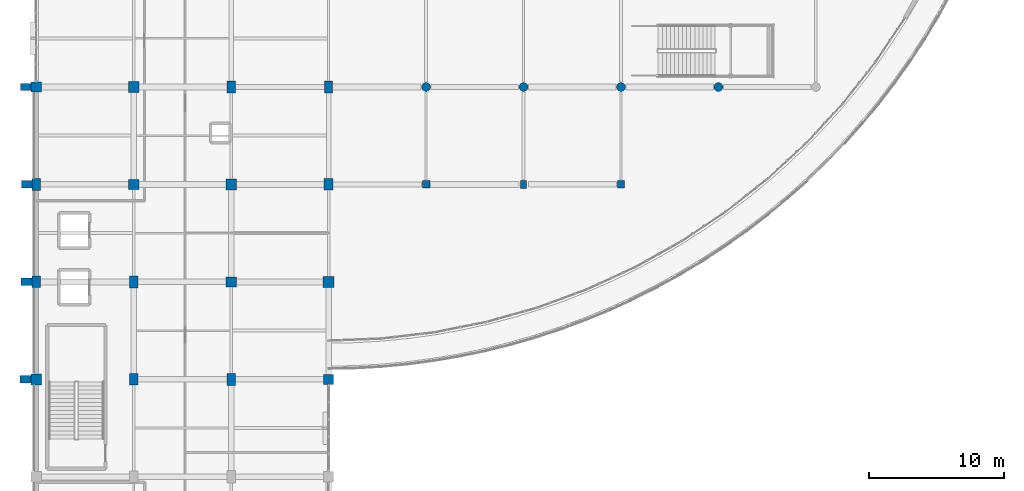
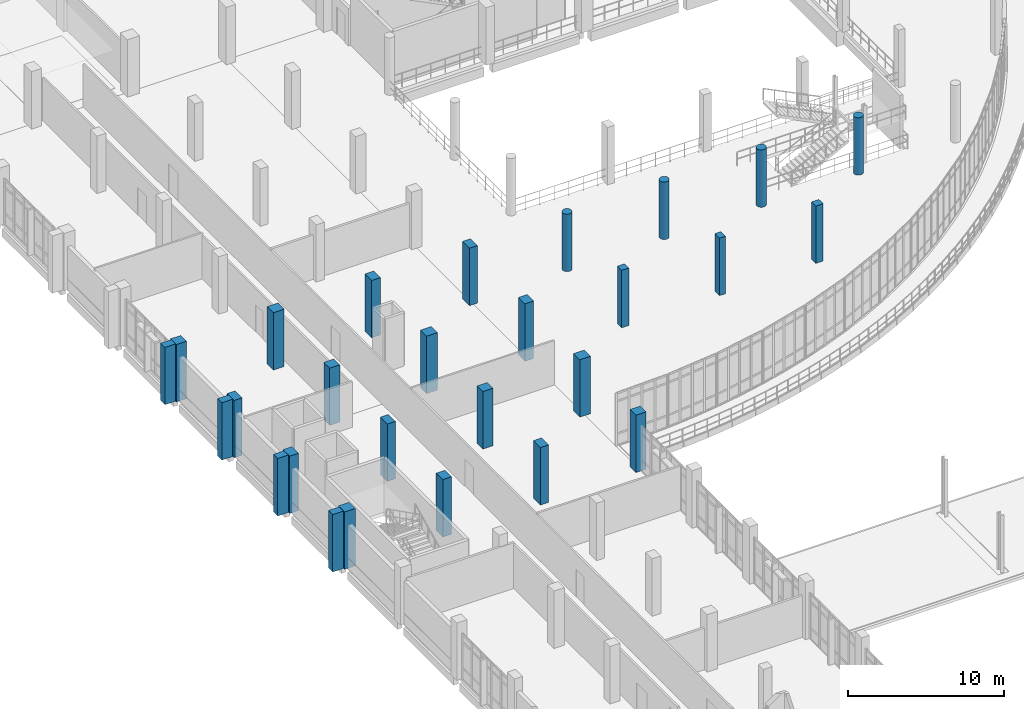
# One storey, part 3 of 134: 27 columns.
"""IFC4 building model written with IfcOpenShell, lengths in metres."""

from ifc_helpers import new_model, si_unit, direction, frame, origin, origin_2d, place, context, subcontext, project, spatial, rectangle, circle, extrude, material, material_profile, profile_set, type_object, element, save


model = new_model("IFC4")

# Units and contexts
model_context = context("Model", 3, precision=1e-05, world=origin(), true_north=direction((0.0, 1.0)))
body_context = subcontext(model_context, "Body", "Model", "MODEL_VIEW")
ifc_project = project(units=[si_unit("LENGTHUNIT", "METRE"), si_unit("AREAUNIT", "SQUARE_METRE"), si_unit("VOLUMEUNIT", "CUBIC_METRE"), si_unit("PLANEANGLEUNIT", "RADIAN"), si_unit("MASSUNIT", "GRAM", prefix="KILO")], contexts=[model_context])

# Site, building, storey
site_placement = place(None, origin())
site = spatial("IfcSite", under=ifc_project, at=site_placement, CompositionType="ELEMENT")
building_placement = place(site_placement, origin())
building = spatial("IfcBuilding", under=site, at=building_placement, Name="Kalluvel Institute of Natural Sciences", CompositionType="ELEMENT")
storey_placement = place(building_placement, frame((0.0, 0.0, 5.39990234375)))
storey = spatial("IfcBuildingStorey", under=building, at=storey_placement, Name="L01", CompositionType="ELEMENT", Elevation=5.39990234375)

# Columns
ifc_material_1 = material(Name="Concrete M40", Category="concrete")
ifc_material_profile_1 = material_profile(ifc_material_1, rectangle(XDim=0.449951171875, YDim=0.60009765625, at=origin_2d()), Name="RC 450x600")
ifc_profile_set_1 = profile_set([ifc_material_profile_1], Name="Concrete M40")
column_type_1 = type_object("IfcColumnType", Name="COL-RC450x600", PredefinedType="COLUMN", material=ifc_profile_set_1)
column_placement = place(storey_placement, frame((50.0, 64.39990234375, 0.0), z_axis=(0.0, 0.0, 1.0), x_axis=(1.0, 0.0, 0.0)))
element("IfcColumn", 1, at=column_placement, inside=storey, type_object=column_type_1, Name="L01 structural column COL-L01-X500-Y644", PredefinedType="COLUMN", context=body_context, shape_type="SweptSolid", body=[
    extrude(rectangle(XDim=0.449951171875, YDim=0.60009765625, at=origin_2d()), origin(), (0.0, 0.0, 1.0), 4.5),
])
ifc_material_profile_2 = material_profile(ifc_material_1, rectangle(XDim=0.550048828125, YDim=0.550048828125, at=origin_2d()), Name="RC 550x550")
ifc_profile_set_2 = profile_set([ifc_material_profile_2], Name="Concrete M40")
column_type_2 = type_object("IfcColumnType", Name="COL-RC550", PredefinedType="COLUMN", material=ifc_profile_set_2)
for number, where, z_axis, x_axis, name in (
    (2, (42.800048828125, 64.39990234375, 0.0), (0.0, 0.0, 1.0), (1.0, 0.0, 0.0), "L01 structural column COL-L01-X428-Y644"),
    (3, (57.199951171875, 64.39990234375, 0.0), (0.0, 0.0, 1.0), (1.0, 0.0, 0.0), "L01 structural column COL-L01-X572-Y644"),
):
    element("IfcColumn", number, at=place(storey_placement, frame(where, z_axis=z_axis, x_axis=x_axis)), inside=storey, type_object=column_type_2, Name=name, PredefinedType="COLUMN", context=body_context, shape_type="SweptSolid", body=[
        extrude(rectangle(XDim=0.550048828125, YDim=0.550048828125, at=origin_2d()), origin(), (0.0, 0.0, 1.0), 4.5),
    ])
ifc_material_2 = material(Name="Concrete M50", Category="concrete")
ifc_material_profile_3 = material_profile(ifc_material_2, rectangle(XDim=0.60009765625, YDim=0.89990234375, at=origin_2d()), Name="RC 600x900")
ifc_profile_set_3 = profile_set([ifc_material_profile_3], Name="Concrete M50")
column_type_3 = type_object("IfcColumnType", Name="COL-RC600x900", PredefinedType="COLUMN", material=ifc_profile_set_3)
for number, where, z_axis, x_axis, name in (
    (4, (14.0, 64.39990234375, 0.0), (0.0, 0.0, 1.0), (1.0, 0.0, 0.0), "L01 structural column COL-L01-X140-Y644"),
    (5, (21.199951171875, 57.199951171875, 0.0), (0.0, 0.0, 1.0), (1.0, 0.0, 0.0), "L01 structural column COL-L01-X212-Y572"),
    (6, (28.39990234375, 50.0, 0.0), (0.0, 0.0, 1.0), (1.0, 0.0, 0.0), "L01 structural column COL-L01-X284-Y500"),
    (7, (35.60009765625, 71.60009765625, 0.0), (0.0, 0.0, 1.0), (1.0, 0.0, 0.0), "L01 structural column COL-L01-X356-Y716"),
):
    element("IfcColumn", number, at=place(storey_placement, frame(where, z_axis=z_axis, x_axis=x_axis)), inside=storey, type_object=column_type_3, Name=name, PredefinedType="COLUMN", context=body_context, shape_type="SweptSolid", body=[
        extrude(rectangle(XDim=0.60009765625, YDim=0.89990234375, at=origin_2d()), origin(), (0.0, 0.0, 1.0), 4.5),
    ])
ifc_material_profile_4 = material_profile(ifc_material_2, rectangle(XDim=0.64990234375, YDim=0.85009765625, at=origin_2d()), Name="RC 650x850")
ifc_profile_set_4 = profile_set([ifc_material_profile_4], Name="Concrete M50")
column_type_4 = type_object("IfcColumnType", Name="COL-RC650x850", PredefinedType="COLUMN", material=ifc_profile_set_4)
for number, where, z_axis, x_axis, name in (
    (8, (14.0, 57.199951171875, 0.0), (0.0, 0.0, 1.0), (1.0, 0.0, 0.0), "L01 structural column COL-L01-X140-Y572"),
    (9, (21.199951171875, 50.0, 0.0), (0.0, 0.0, 1.0), (1.0, 0.0, 0.0), "L01 structural column COL-L01-X212-Y500"),
    (10, (28.39990234375, 71.60009765625, 0.0), (0.0, 0.0, 1.0), (1.0, 0.0, 0.0), "L01 structural column COL-L01-X284-Y716"),
    (11, (35.60009765625, 64.39990234375, 0.0), (0.0, 0.0, 1.0), (1.0, 0.0, 0.0), "L01 structural column COL-L01-X356-Y644"),
):
    element("IfcColumn", number, at=place(storey_placement, frame(where, z_axis=z_axis, x_axis=x_axis)), inside=storey, type_object=column_type_4, Name=name, PredefinedType="COLUMN", context=body_context, shape_type="SweptSolid", body=[
        extrude(rectangle(XDim=0.64990234375, YDim=0.85009765625, at=origin_2d()), origin(), (0.0, 0.0, 1.0), 4.5),
    ])
ifc_material_profile_5 = material_profile(ifc_material_2, rectangle(XDim=0.75, YDim=0.75, at=origin_2d()), Name="RC 750x750")
ifc_profile_set_5 = profile_set([ifc_material_profile_5], Name="Concrete M50")
column_type_5 = type_object("IfcColumnType", Name="COL-RC750", PredefinedType="COLUMN", material=ifc_profile_set_5)
for number, where, z_axis, x_axis, name in (
    (12, (14.0, 71.60009765625, 0.0), (0.0, 0.0, 1.0), (1.0, 0.0, 0.0), "L01 structural column COL-L01-X140-Y716"),
    (13, (21.199951171875, 64.39990234375, 0.0), (0.0, 0.0, 1.0), (1.0, 0.0, 0.0), "L01 structural column COL-L01-X212-Y644"),
    (14, (28.39990234375, 57.199951171875, 0.0), (0.0, 0.0, 1.0), (1.0, 0.0, 0.0), "L01 structural column COL-L01-X284-Y572"),
    (15, (35.60009765625, 50.0, 0.0), (0.0, 0.0, 1.0), (1.0, 0.0, 0.0), "L01 structural column COL-L01-X356-Y500"),
):
    element("IfcColumn", number, at=place(storey_placement, frame(where, z_axis=z_axis, x_axis=x_axis)), inside=storey, type_object=column_type_5, Name=name, PredefinedType="COLUMN", context=body_context, shape_type="SweptSolid", body=[
        extrude(rectangle(XDim=0.75, YDim=0.75, at=origin_2d()), origin(), (0.0, 0.0, 1.0), 4.5),
    ])
ifc_material_profile_6 = material_profile(ifc_material_2, rectangle(XDim=0.800048828125, YDim=0.800048828125, at=origin_2d()), Name="RC 800x800")
ifc_profile_set_6 = profile_set([ifc_material_profile_6], Name="Concrete M50")
column_type_6 = type_object("IfcColumnType", Name="COL-RC800", PredefinedType="COLUMN", material=ifc_profile_set_6)
for number, where, z_axis, x_axis, name in (
    (16, (14.0, 50.0, 0.0), (0.0, 0.0, 1.0), (1.0, 0.0, 0.0), "L01 structural column COL-L01-X140-Y500"),
    (17, (21.199951171875, 71.60009765625, 0.0), (0.0, 0.0, 1.0), (1.0, 0.0, 0.0), "L01 structural column COL-L01-X212-Y716"),
    (18, (28.39990234375, 64.39990234375, 0.0), (0.0, 0.0, 1.0), (1.0, 0.0, 0.0), "L01 structural column COL-L01-X284-Y644"),
    (19, (35.60009765625, 57.199951171875, 0.0), (0.0, 0.0, 1.0), (1.0, 0.0, 0.0), "L01 structural column COL-L01-X356-Y572"),
):
    element("IfcColumn", number, at=place(storey_placement, frame(where, z_axis=z_axis, x_axis=x_axis)), inside=storey, type_object=column_type_6, Name=name, PredefinedType="COLUMN", context=body_context, shape_type="SweptSolid", body=[
        extrude(rectangle(XDim=0.800048828125, YDim=0.800048828125, at=origin_2d()), origin(), (0.0, 0.0, 1.0), 4.5),
    ])
ifc_material_profile_7 = material_profile(ifc_material_1, circle(Radius=0.324951171875, at=origin_2d()), Name="RCCOL D650")
ifc_profile_set_7 = profile_set([ifc_material_profile_7], Name="Concrete M40")
column_type_7 = type_object("IfcColumnType", Name="COL-RCD650", PredefinedType="COLUMN", material=ifc_profile_set_7)
for number, where, z_axis, x_axis, name in (
    (20, (42.800048828125, 71.60009765625, 0.0), (0.0, 0.0, 1.0), (1.0, 0.0, 0.0), "L01 structural column COL-L01-X428-Y716"),
    (21, (50.0, 71.60009765625, 0.0), (0.0, 0.0, 1.0), (1.0, 0.0, 0.0), "L01 structural column COL-L01-X500-Y716"),
    (22, (57.199951171875, 71.60009765625, 0.0), (0.0, 0.0, 1.0), (1.0, 0.0, 0.0), "L01 structural column COL-L01-X572-Y716"),
    (23, (64.39990234375, 71.60009765625, 0.0), (0.0, 0.0, 1.0), (1.0, 0.0, 0.0), "L01 structural column COL-L01-X644-Y716"),
):
    element("IfcColumn", number, at=place(storey_placement, frame(where, z_axis=z_axis, x_axis=x_axis)), inside=storey, type_object=column_type_7, Name=name, PredefinedType="COLUMN", context=body_context, shape_type="SweptSolid", body=[
        extrude(circle(Radius=0.324951171875, at=origin_2d()), origin(), (0.0, 0.0, 1.0), 4.5),
    ])
ifc_material_3 = material(Name="Sadarahalli Granite Precast Concrete M45", Category="masonry")
ifc_material_profile_8 = material_profile(ifc_material_3, rectangle(XDim=0.550048828125, YDim=0.800048828125, at=origin_2d()), Name="PIL 550x800")
ifc_profile_set_8 = profile_set([ifc_material_profile_8], Name="Sadarahalli Granite Precast Concrete M45")
column_type_8 = type_object("IfcColumnType", Name="PIL-550x800", PredefinedType="PILASTER", material=ifc_profile_set_8)
for number, where, z_axis, x_axis, name in (
    (24, (13.197021484375, 50.0, 0.0), (0.0, 0.0, 1.0), (0.0, 1.0, 0.0), "L01 Gothic stepped Sadarahalli granite buttress 79"),
    (25, (13.27197265625, 57.199951171875, 0.0), (0.0, 0.0, 1.0), (0.0, 1.0, 0.0), "L01 Gothic stepped Sadarahalli granite buttress 87"),
    (26, (13.297119140625, 64.39990234375, 0.0), (0.0, 0.0, 1.0), (0.0, 1.0, 0.0), "L01 Gothic stepped Sadarahalli granite buttress 95"),
    (27, (13.221923828125, 71.60009765625, 0.0), (0.0, 0.0, 1.0), (0.0, 1.0, 0.0), "L01 Gothic stepped Sadarahalli granite buttress 103"),
):
    element("IfcColumn", number, at=place(storey_placement, frame(where, z_axis=z_axis, x_axis=x_axis)), inside=storey, type_object=column_type_8, Name=name, PredefinedType="PILASTER", context=body_context, shape_type="SweptSolid", body=[
        extrude(rectangle(XDim=0.550048828125, YDim=0.800048828125, at=origin_2d()), origin(), (0.0, 0.0, 1.0), 4.5),
    ])

save(model, "model.ifc")
